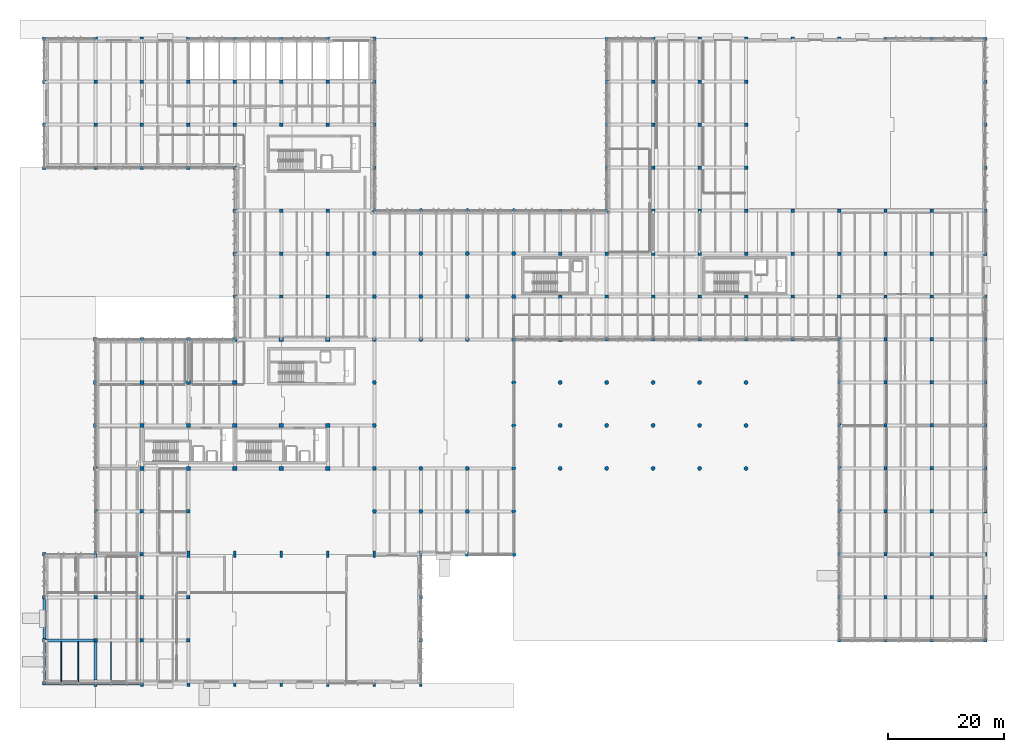
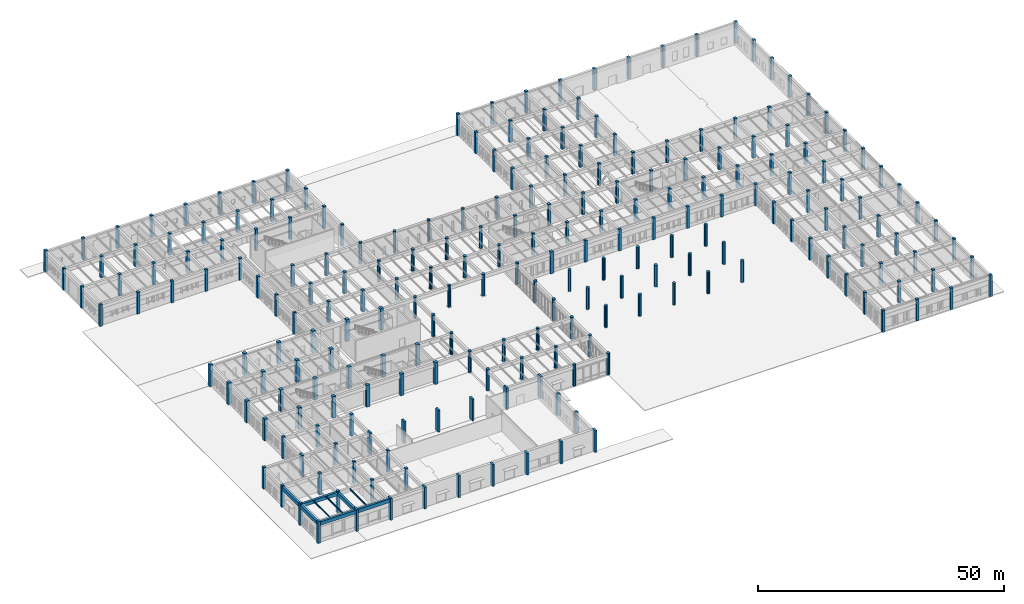
# One storey, part 1 of 56: 229 columns, 9 beams.
"""IFC4 building model written with IfcOpenShell, lengths in metres."""

from ifc_helpers import new_model, si_unit, direction, frame, origin, origin_2d, place, context, subcontext, project, spatial, rectangle, circle, i_section, extrude, material, material_profile, profile_set, type_object, element, save


model = new_model("IFC4")

# Units and contexts
model_context = context("Model", 3, precision=1e-05, world=origin(), true_north=direction((0.0, 1.0)))
body_context = subcontext(model_context, "Body", "Model", "MODEL_VIEW")
ifc_project = project(units=[si_unit("LENGTHUNIT", "METRE"), si_unit("AREAUNIT", "SQUARE_METRE"), si_unit("VOLUMEUNIT", "CUBIC_METRE"), si_unit("PLANEANGLEUNIT", "RADIAN"), si_unit("MASSUNIT", "GRAM", prefix="KILO")], contexts=[model_context])

# Site, building, storey
site_placement = place(None, origin())
site = spatial("IfcSite", under=ifc_project, at=site_placement, CompositionType="ELEMENT")
building_placement = place(site_placement, origin())
building = spatial("IfcBuilding", under=site, at=building_placement, Name="Valkorina Park Police Headquarters", CompositionType="ELEMENT")
storey_placement = place(building_placement, origin())
storey = spatial("IfcBuildingStorey", under=building, at=storey_placement, Name="L01", CompositionType="ELEMENT", Elevation=0.0)

# Columns
ifc_material_1 = material(Name="Concrete C40/50", Category="concrete")
ifc_material_profile_1 = material_profile(ifc_material_1, rectangle(XDim=0.60009765625, YDim=0.60009765625, at=origin_2d()), Name="RC COL 600x600")
ifc_profile_set_1 = profile_set([ifc_material_profile_1], Name="Concrete C40/50")
column_type_1 = type_object("IfcColumnType", Name="COL-RC-600-EXT", PredefinedType="COLUMN", material=ifc_profile_set_1)
for number, where, z_axis, x_axis, name in (
    (1, (0.0, 0.0, 0.0), (0.0, 0.0, 1.0), (1.0, 0.0, 0.0), "L01 Column 0269"),
    (2, (0.0, 7.39990234375, 0.0), (0.0, 0.0, 1.0), (1.0, 0.0, 0.0), "L01 Column 0270"),
    (3, (0.0, 14.800048828125, 0.0), (0.0, 0.0, 1.0), (1.0, 0.0, 0.0), "L01 Column 0271"),
    (4, (0.0, 22.199951171875, 0.0), (0.0, 0.0, 1.0), (1.0, 0.0, 0.0), "L01 Column 0272"),
    (5, (0.0, 88.800048828125, 0.0), (0.0, 0.0, 1.0), (1.0, 0.0, 0.0), "L01 Column 0273"),
    (6, (0.0, 96.199951171875, 0.0), (0.0, 0.0, 1.0), (1.0, 0.0, 0.0), "L01 Column 0274"),
    (7, (0.0, 103.60009765625, 0.0), (0.0, 0.0, 1.0), (1.0, 0.0, 0.0), "L01 Column 0275"),
    (8, (0.0, 111.0, 0.0), (0.0, 0.0, 1.0), (1.0, 0.0, 0.0), "L01 Column 0276"),
    (9, (8.800048828125, 29.60009765625, 0.0), (0.0, 0.0, 1.0), (1.0, 0.0, 0.0), "L01 Column 0281"),
    (10, (8.800048828125, 88.800048828125, 0.0), (0.0, 0.0, 1.0), (1.0, 0.0, 0.0), "L01 Column 0286"),
    (11, (8.800048828125, 111.0, 0.0), (0.0, 0.0, 1.0), (1.0, 0.0, 0.0), "L01 Column 0289"),
    (12, (16.800048828125, 88.800048828125, 0.0), (0.0, 0.0, 1.0), (1.0, 0.0, 0.0), "L01 Column 0299"),
    (13, (16.800048828125, 111.0, 0.0), (0.0, 0.0, 1.0), (1.0, 0.0, 0.0), "L01 Column 0302"),
    (14, (24.800048828125, 29.60009765625, 0.0), (0.0, 0.0, 1.0), (1.0, 0.0, 0.0), "L01 Column 0307"),
    (15, (24.800048828125, 88.800048828125, 0.0), (0.0, 0.0, 1.0), (1.0, 0.0, 0.0), "L01 Column 0312"),
    (16, (24.800048828125, 111.0, 0.0), (0.0, 0.0, 1.0), (1.0, 0.0, 0.0), "L01 Column 0315"),
    (17, (32.800048828125, 66.60009765625, 0.0), (0.0, 0.0, 1.0), (1.0, 0.0, 0.0), "L01 Column 0322"),
    (18, (32.800048828125, 74.0, 0.0), (0.0, 0.0, 1.0), (1.0, 0.0, 0.0), "L01 Column 0323"),
    (19, (32.800048828125, 81.39990234375, 0.0), (0.0, 0.0, 1.0), (1.0, 0.0, 0.0), "L01 Column 0324"),
    (20, (32.800048828125, 88.800048828125, 0.0), (0.0, 0.0, 1.0), (1.0, 0.0, 0.0), "L01 Column 0325"),
    (21, (32.800048828125, 111.0, 0.0), (0.0, 0.0, 1.0), (1.0, 0.0, 0.0), "L01 Column 0328"),
    (22, (40.800048828125, 111.0, 0.0), (0.0, 0.0, 1.0), (1.0, 0.0, 0.0), "L01 Column 0339"),
    (23, (48.800048828125, 111.0, 0.0), (0.0, 0.0, 1.0), (1.0, 0.0, 0.0), "L01 Column 0350"),
    (24, (56.800048828125, 88.800048828125, 0.0), (0.0, 0.0, 1.0), (1.0, 0.0, 0.0), "L01 Column 0361"),
    (25, (56.800048828125, 96.199951171875, 0.0), (0.0, 0.0, 1.0), (1.0, 0.0, 0.0), "L01 Column 0362"),
    (26, (56.800048828125, 103.60009765625, 0.0), (0.0, 0.0, 1.0), (1.0, 0.0, 0.0), "L01 Column 0363"),
    (27, (56.800048828125, 111.0, 0.0), (0.0, 0.0, 1.0), (1.0, 0.0, 0.0), "L01 Column 0364"),
    (28, (64.800048828125, 7.39990234375, 0.0), (0.0, 0.0, 1.0), (1.0, 0.0, 0.0), "L01 Column 0366"),
    (29, (64.800048828125, 14.800048828125, 0.0), (0.0, 0.0, 1.0), (1.0, 0.0, 0.0), "L01 Column 0367"),
    (30, (88.800048828125, 81.39990234375, 0.0), (0.0, 0.0, 1.0), (1.0, 0.0, 0.0), "L01 Column 0397"),
    (31, (96.800048828125, 59.199951171875, 0.0), (0.0, 0.0, 1.0), (1.0, 0.0, 0.0), "L01 Column 0401"),
    (32, (96.800048828125, 81.39990234375, 0.0), (0.0, 0.0, 1.0), (1.0, 0.0, 0.0), "L01 Column 0404"),
    (33, (96.800048828125, 88.800048828125, 0.0), (0.0, 0.0, 1.0), (1.0, 0.0, 0.0), "L01 Column 0405"),
    (34, (96.800048828125, 96.199951171875, 0.0), (0.0, 0.0, 1.0), (1.0, 0.0, 0.0), "L01 Column 0406"),
    (35, (96.800048828125, 103.60009765625, 0.0), (0.0, 0.0, 1.0), (1.0, 0.0, 0.0), "L01 Column 0407"),
    (36, (96.800048828125, 111.0, 0.0), (0.0, 0.0, 1.0), (1.0, 0.0, 0.0), "L01 Column 0408"),
    (37, (104.800048828125, 59.199951171875, 0.0), (0.0, 0.0, 1.0), (1.0, 0.0, 0.0), "L01 Column 0412"),
    (38, (104.800048828125, 111.0, 0.0), (0.0, 0.0, 1.0), (1.0, 0.0, 0.0), "L01 Column 0419"),
    (39, (112.800048828125, 59.199951171875, 0.0), (0.0, 0.0, 1.0), (1.0, 0.0, 0.0), "L01 Column 0423"),
    (40, (112.800048828125, 111.0, 0.0), (0.0, 0.0, 1.0), (1.0, 0.0, 0.0), "L01 Column 0430"),
    (41, (120.800048828125, 59.199951171875, 0.0), (0.0, 0.0, 1.0), (1.0, 0.0, 0.0), "L01 Column 0434"),
    (42, (120.800048828125, 111.0, 0.0), (0.0, 0.0, 1.0), (1.0, 0.0, 0.0), "L01 Column 0441"),
    (43, (128.800048828125, 59.199951171875, 0.0), (0.0, 0.0, 1.0), (1.0, 0.0, 0.0), "L01 Column 0442"),
    (44, (128.800048828125, 111.0, 0.0), (0.0, 0.0, 1.0), (1.0, 0.0, 0.0), "L01 Column 0446"),
    (45, (136.800048828125, 7.39990234375, 0.0), (0.0, 0.0, 1.0), (1.0, 0.0, 0.0), "L01 Column 0447"),
    (46, (136.800048828125, 14.800048828125, 0.0), (0.0, 0.0, 1.0), (1.0, 0.0, 0.0), "L01 Column 0448"),
    (47, (136.800048828125, 22.199951171875, 0.0), (0.0, 0.0, 1.0), (1.0, 0.0, 0.0), "L01 Column 0449"),
    (48, (136.800048828125, 29.60009765625, 0.0), (0.0, 0.0, 1.0), (1.0, 0.0, 0.0), "L01 Column 0450"),
    (49, (136.800048828125, 37.0, 0.0), (0.0, 0.0, 1.0), (1.0, 0.0, 0.0), "L01 Column 0451"),
    (50, (136.800048828125, 44.39990234375, 0.0), (0.0, 0.0, 1.0), (1.0, 0.0, 0.0), "L01 Column 0452"),
    (51, (136.800048828125, 51.800048828125, 0.0), (0.0, 0.0, 1.0), (1.0, 0.0, 0.0), "L01 Column 0453"),
    (52, (136.800048828125, 59.199951171875, 0.0), (0.0, 0.0, 1.0), (1.0, 0.0, 0.0), "L01 Column 0454"),
    (53, (136.800048828125, 111.0, 0.0), (0.0, 0.0, 1.0), (1.0, 0.0, 0.0), "L01 Column 0458"),
    (54, (144.800048828125, 7.39990234375, 0.0), (0.0, 0.0, 1.0), (1.0, 0.0, 0.0), "L01 Column 0459"),
    (55, (144.800048828125, 111.0, 0.0), (0.0, 0.0, 1.0), (1.0, 0.0, 0.0), "L01 Column 0470"),
    (56, (152.800048828125, 7.39990234375, 0.0), (0.0, 0.0, 1.0), (1.0, 0.0, 0.0), "L01 Column 0471"),
    (57, (152.800048828125, 111.0, 0.0), (0.0, 0.0, 1.0), (1.0, 0.0, 0.0), "L01 Column 0482"),
    (58, (162.0, 7.39990234375, 0.0), (0.0, 0.0, 1.0), (1.0, 0.0, 0.0), "L01 Column 0483"),
    (59, (162.0, 14.800048828125, 0.0), (0.0, 0.0, 1.0), (1.0, 0.0, 0.0), "L01 Column 0484"),
    (60, (162.0, 22.199951171875, 0.0), (0.0, 0.0, 1.0), (1.0, 0.0, 0.0), "L01 Column 0485"),
    (61, (162.0, 29.60009765625, 0.0), (0.0, 0.0, 1.0), (1.0, 0.0, 0.0), "L01 Column 0486"),
    (62, (162.0, 37.0, 0.0), (0.0, 0.0, 1.0), (1.0, 0.0, 0.0), "L01 Column 0487"),
    (63, (162.0, 44.39990234375, 0.0), (0.0, 0.0, 1.0), (1.0, 0.0, 0.0), "L01 Column 0488"),
    (64, (162.0, 51.800048828125, 0.0), (0.0, 0.0, 1.0), (1.0, 0.0, 0.0), "L01 Column 0489"),
    (65, (162.0, 59.199951171875, 0.0), (0.0, 0.0, 1.0), (1.0, 0.0, 0.0), "L01 Column 0490"),
    (66, (162.0, 66.60009765625, 0.0), (0.0, 0.0, 1.0), (1.0, 0.0, 0.0), "L01 Column 0491"),
    (67, (162.0, 74.0, 0.0), (0.0, 0.0, 1.0), (1.0, 0.0, 0.0), "L01 Column 0492"),
    (68, (162.0, 81.39990234375, 0.0), (0.0, 0.0, 1.0), (1.0, 0.0, 0.0), "L01 Column 0493"),
    (69, (162.0, 88.800048828125, 0.0), (0.0, 0.0, 1.0), (1.0, 0.0, 0.0), "L01 Column 0494"),
    (70, (162.0, 96.199951171875, 0.0), (0.0, 0.0, 1.0), (1.0, 0.0, 0.0), "L01 Column 0495"),
    (71, (162.0, 103.60009765625, 0.0), (0.0, 0.0, 1.0), (1.0, 0.0, 0.0), "L01 Column 0496"),
    (72, (162.0, 111.0, 0.0), (0.0, 0.0, 1.0), (1.0, 0.0, 0.0), "L01 Column 0497"),
):
    element("IfcColumn", number, at=place(storey_placement, frame(where, z_axis=z_axis, x_axis=x_axis)), inside=storey, type_object=column_type_1, Name=name, PredefinedType="COLUMN", context=body_context, shape_type="SweptSolid", body=[
        extrude(rectangle(XDim=0.60009765625, YDim=0.60009765625, at=origin_2d()), origin(), (0.0, 0.0, 1.0), 5.39990234375),
    ])
ifc_material_profile_2 = material_profile(ifc_material_1, rectangle(XDim=0.60009765625, YDim=0.60009765625, at=origin_2d()), Name="RC COL 600x600")
ifc_profile_set_2 = profile_set([ifc_material_profile_2], Name="Concrete C40/50")
column_type_2 = type_object("IfcColumnType", Name="COL-RC-600-INT", PredefinedType="COLUMN", material=ifc_profile_set_2)
for number, where, z_axis, x_axis, name in (
    (73, (8.800048828125, 7.39990234375, 0.0), (0.0, 0.0, 1.0), (1.0, 0.0, 0.0), "L01 Column 0278"),
    (74, (8.800048828125, 14.800048828125, 0.0), (0.0, 0.0, 1.0), (1.0, 0.0, 0.0), "L01 Column 0279"),
    (75, (8.800048828125, 96.199951171875, 0.0), (0.0, 0.0, 1.0), (1.0, 0.0, 0.0), "L01 Column 0287"),
    (76, (8.800048828125, 103.60009765625, 0.0), (0.0, 0.0, 1.0), (1.0, 0.0, 0.0), "L01 Column 0288"),
    (77, (16.800048828125, 7.39990234375, 0.0), (0.0, 0.0, 1.0), (1.0, 0.0, 0.0), "L01 Column 0291"),
    (78, (16.800048828125, 14.800048828125, 0.0), (0.0, 0.0, 1.0), (1.0, 0.0, 0.0), "L01 Column 0292"),
    (79, (16.800048828125, 22.199951171875, 0.0), (0.0, 0.0, 1.0), (1.0, 0.0, 0.0), "L01 Column 0293"),
    (80, (16.800048828125, 29.60009765625, 0.0), (0.0, 0.0, 1.0), (1.0, 0.0, 0.0), "L01 Column 0294"),
    (81, (16.800048828125, 96.199951171875, 0.0), (0.0, 0.0, 1.0), (1.0, 0.0, 0.0), "L01 Column 0300"),
    (82, (16.800048828125, 103.60009765625, 0.0), (0.0, 0.0, 1.0), (1.0, 0.0, 0.0), "L01 Column 0301"),
    (83, (24.800048828125, 7.39990234375, 0.0), (0.0, 0.0, 1.0), (1.0, 0.0, 0.0), "L01 Column 0304"),
    (84, (24.800048828125, 14.800048828125, 0.0), (0.0, 0.0, 1.0), (1.0, 0.0, 0.0), "L01 Column 0305"),
    (85, (24.800048828125, 96.199951171875, 0.0), (0.0, 0.0, 1.0), (1.0, 0.0, 0.0), "L01 Column 0313"),
    (86, (24.800048828125, 103.60009765625, 0.0), (0.0, 0.0, 1.0), (1.0, 0.0, 0.0), "L01 Column 0314"),
    (87, (32.800048828125, 96.199951171875, 0.0), (0.0, 0.0, 1.0), (1.0, 0.0, 0.0), "L01 Column 0326"),
    (88, (32.800048828125, 103.60009765625, 0.0), (0.0, 0.0, 1.0), (1.0, 0.0, 0.0), "L01 Column 0327"),
    (89, (40.800048828125, 66.60009765625, 0.0), (0.0, 0.0, 1.0), (1.0, 0.0, 0.0), "L01 Column 0334"),
    (90, (40.800048828125, 74.0, 0.0), (0.0, 0.0, 1.0), (1.0, 0.0, 0.0), "L01 Column 0335"),
    (91, (40.800048828125, 81.39990234375, 0.0), (0.0, 0.0, 1.0), (1.0, 0.0, 0.0), "L01 Column 0336"),
    (92, (40.800048828125, 96.199951171875, 0.0), (0.0, 0.0, 1.0), (1.0, 0.0, 0.0), "L01 Column 0337"),
    (93, (40.800048828125, 103.60009765625, 0.0), (0.0, 0.0, 1.0), (1.0, 0.0, 0.0), "L01 Column 0338"),
    (94, (48.800048828125, 66.60009765625, 0.0), (0.0, 0.0, 1.0), (1.0, 0.0, 0.0), "L01 Column 0345"),
    (95, (48.800048828125, 74.0, 0.0), (0.0, 0.0, 1.0), (1.0, 0.0, 0.0), "L01 Column 0346"),
    (96, (48.800048828125, 81.39990234375, 0.0), (0.0, 0.0, 1.0), (1.0, 0.0, 0.0), "L01 Column 0347"),
    (97, (48.800048828125, 96.199951171875, 0.0), (0.0, 0.0, 1.0), (1.0, 0.0, 0.0), "L01 Column 0348"),
    (98, (48.800048828125, 103.60009765625, 0.0), (0.0, 0.0, 1.0), (1.0, 0.0, 0.0), "L01 Column 0349"),
    (99, (88.800048828125, 66.60009765625, 0.0), (0.0, 0.0, 1.0), (1.0, 0.0, 0.0), "L01 Column 0395"),
    (100, (88.800048828125, 74.0, 0.0), (0.0, 0.0, 1.0), (1.0, 0.0, 0.0), "L01 Column 0396"),
    (101, (96.800048828125, 66.60009765625, 0.0), (0.0, 0.0, 1.0), (1.0, 0.0, 0.0), "L01 Column 0402"),
    (102, (96.800048828125, 74.0, 0.0), (0.0, 0.0, 1.0), (1.0, 0.0, 0.0), "L01 Column 0403"),
    (103, (104.800048828125, 66.60009765625, 0.0), (0.0, 0.0, 1.0), (1.0, 0.0, 0.0), "L01 Column 0413"),
    (104, (104.800048828125, 74.0, 0.0), (0.0, 0.0, 1.0), (1.0, 0.0, 0.0), "L01 Column 0414"),
    (105, (104.800048828125, 81.39990234375, 0.0), (0.0, 0.0, 1.0), (1.0, 0.0, 0.0), "L01 Column 0415"),
    (106, (104.800048828125, 88.800048828125, 0.0), (0.0, 0.0, 1.0), (1.0, 0.0, 0.0), "L01 Column 0416"),
    (107, (104.800048828125, 96.199951171875, 0.0), (0.0, 0.0, 1.0), (1.0, 0.0, 0.0), "L01 Column 0417"),
    (108, (104.800048828125, 103.60009765625, 0.0), (0.0, 0.0, 1.0), (1.0, 0.0, 0.0), "L01 Column 0418"),
    (109, (112.800048828125, 66.60009765625, 0.0), (0.0, 0.0, 1.0), (1.0, 0.0, 0.0), "L01 Column 0424"),
    (110, (112.800048828125, 74.0, 0.0), (0.0, 0.0, 1.0), (1.0, 0.0, 0.0), "L01 Column 0425"),
    (111, (112.800048828125, 81.39990234375, 0.0), (0.0, 0.0, 1.0), (1.0, 0.0, 0.0), "L01 Column 0426"),
    (112, (112.800048828125, 88.800048828125, 0.0), (0.0, 0.0, 1.0), (1.0, 0.0, 0.0), "L01 Column 0427"),
    (113, (112.800048828125, 96.199951171875, 0.0), (0.0, 0.0, 1.0), (1.0, 0.0, 0.0), "L01 Column 0428"),
    (114, (112.800048828125, 103.60009765625, 0.0), (0.0, 0.0, 1.0), (1.0, 0.0, 0.0), "L01 Column 0429"),
    (115, (120.800048828125, 66.60009765625, 0.0), (0.0, 0.0, 1.0), (1.0, 0.0, 0.0), "L01 Column 0435"),
    (116, (120.800048828125, 74.0, 0.0), (0.0, 0.0, 1.0), (1.0, 0.0, 0.0), "L01 Column 0436"),
    (117, (120.800048828125, 81.39990234375, 0.0), (0.0, 0.0, 1.0), (1.0, 0.0, 0.0), "L01 Column 0437"),
    (118, (120.800048828125, 88.800048828125, 0.0), (0.0, 0.0, 1.0), (1.0, 0.0, 0.0), "L01 Column 0438"),
    (119, (120.800048828125, 96.199951171875, 0.0), (0.0, 0.0, 1.0), (1.0, 0.0, 0.0), "L01 Column 0439"),
    (120, (120.800048828125, 103.60009765625, 0.0), (0.0, 0.0, 1.0), (1.0, 0.0, 0.0), "L01 Column 0440"),
    (121, (128.800048828125, 66.60009765625, 0.0), (0.0, 0.0, 1.0), (1.0, 0.0, 0.0), "L01 Column 0443"),
    (122, (128.800048828125, 74.0, 0.0), (0.0, 0.0, 1.0), (1.0, 0.0, 0.0), "L01 Column 0444"),
    (123, (128.800048828125, 81.39990234375, 0.0), (0.0, 0.0, 1.0), (1.0, 0.0, 0.0), "L01 Column 0445"),
    (124, (136.800048828125, 66.60009765625, 0.0), (0.0, 0.0, 1.0), (1.0, 0.0, 0.0), "L01 Column 0455"),
    (125, (136.800048828125, 74.0, 0.0), (0.0, 0.0, 1.0), (1.0, 0.0, 0.0), "L01 Column 0456"),
    (126, (136.800048828125, 81.39990234375, 0.0), (0.0, 0.0, 1.0), (1.0, 0.0, 0.0), "L01 Column 0457"),
    (127, (144.800048828125, 14.800048828125, 0.0), (0.0, 0.0, 1.0), (1.0, 0.0, 0.0), "L01 Column 0460"),
    (128, (144.800048828125, 22.199951171875, 0.0), (0.0, 0.0, 1.0), (1.0, 0.0, 0.0), "L01 Column 0461"),
    (129, (144.800048828125, 29.60009765625, 0.0), (0.0, 0.0, 1.0), (1.0, 0.0, 0.0), "L01 Column 0462"),
    (130, (144.800048828125, 37.0, 0.0), (0.0, 0.0, 1.0), (1.0, 0.0, 0.0), "L01 Column 0463"),
    (131, (144.800048828125, 44.39990234375, 0.0), (0.0, 0.0, 1.0), (1.0, 0.0, 0.0), "L01 Column 0464"),
    (132, (144.800048828125, 51.800048828125, 0.0), (0.0, 0.0, 1.0), (1.0, 0.0, 0.0), "L01 Column 0465"),
    (133, (144.800048828125, 59.199951171875, 0.0), (0.0, 0.0, 1.0), (1.0, 0.0, 0.0), "L01 Column 0466"),
    (134, (144.800048828125, 66.60009765625, 0.0), (0.0, 0.0, 1.0), (1.0, 0.0, 0.0), "L01 Column 0467"),
    (135, (144.800048828125, 74.0, 0.0), (0.0, 0.0, 1.0), (1.0, 0.0, 0.0), "L01 Column 0468"),
    (136, (144.800048828125, 81.39990234375, 0.0), (0.0, 0.0, 1.0), (1.0, 0.0, 0.0), "L01 Column 0469"),
    (137, (152.800048828125, 14.800048828125, 0.0), (0.0, 0.0, 1.0), (1.0, 0.0, 0.0), "L01 Column 0472"),
    (138, (152.800048828125, 22.199951171875, 0.0), (0.0, 0.0, 1.0), (1.0, 0.0, 0.0), "L01 Column 0473"),
    (139, (152.800048828125, 29.60009765625, 0.0), (0.0, 0.0, 1.0), (1.0, 0.0, 0.0), "L01 Column 0474"),
    (140, (152.800048828125, 37.0, 0.0), (0.0, 0.0, 1.0), (1.0, 0.0, 0.0), "L01 Column 0475"),
    (141, (152.800048828125, 44.39990234375, 0.0), (0.0, 0.0, 1.0), (1.0, 0.0, 0.0), "L01 Column 0476"),
    (142, (152.800048828125, 51.800048828125, 0.0), (0.0, 0.0, 1.0), (1.0, 0.0, 0.0), "L01 Column 0477"),
    (143, (152.800048828125, 59.199951171875, 0.0), (0.0, 0.0, 1.0), (1.0, 0.0, 0.0), "L01 Column 0478"),
    (144, (152.800048828125, 66.60009765625, 0.0), (0.0, 0.0, 1.0), (1.0, 0.0, 0.0), "L01 Column 0479"),
    (145, (152.800048828125, 74.0, 0.0), (0.0, 0.0, 1.0), (1.0, 0.0, 0.0), "L01 Column 0480"),
    (146, (152.800048828125, 81.39990234375, 0.0), (0.0, 0.0, 1.0), (1.0, 0.0, 0.0), "L01 Column 0481"),
):
    element("IfcColumn", number, at=place(storey_placement, frame(where, z_axis=z_axis, x_axis=x_axis)), inside=storey, type_object=column_type_2, Name=name, PredefinedType="COLUMN", context=body_context, shape_type="SweptSolid", body=[
        extrude(rectangle(XDim=0.60009765625, YDim=0.60009765625, at=origin_2d()), origin(), (0.0, 0.0, 1.0), 5.39990234375),
    ])
ifc_material_profile_3 = material_profile(ifc_material_1, rectangle(XDim=0.75, YDim=0.75, at=origin_2d()), Name="RC COL 750x750")
ifc_profile_set_3 = profile_set([ifc_material_profile_3], Name="Concrete C40/50")
column_type_3 = type_object("IfcColumnType", Name="COL-RC-750-EXT", PredefinedType="COLUMN", material=ifc_profile_set_3)
for number, where, z_axis, x_axis, name in (
    (147, (8.800048828125, 37.0, 0.0), (0.0, 0.0, 1.0), (1.0, 0.0, 0.0), "L01 Column 0282"),
    (148, (8.800048828125, 44.39990234375, 0.0), (0.0, 0.0, 1.0), (1.0, 0.0, 0.0), "L01 Column 0283"),
    (149, (8.800048828125, 51.800048828125, 0.0), (0.0, 0.0, 1.0), (1.0, 0.0, 0.0), "L01 Column 0284"),
    (150, (8.800048828125, 59.199951171875, 0.0), (0.0, 0.0, 1.0), (1.0, 0.0, 0.0), "L01 Column 0285"),
    (151, (16.800048828125, 59.199951171875, 0.0), (0.0, 0.0, 1.0), (1.0, 0.0, 0.0), "L01 Column 0298"),
    (152, (24.800048828125, 37.0, 0.0), (0.0, 0.0, 1.0), (1.0, 0.0, 0.0), "L01 Column 0308"),
    (153, (24.800048828125, 59.199951171875, 0.0), (0.0, 0.0, 1.0), (1.0, 0.0, 0.0), "L01 Column 0311"),
    (154, (32.800048828125, 37.0, 0.0), (0.0, 0.0, 1.0), (1.0, 0.0, 0.0), "L01 Column 0318"),
    (155, (32.800048828125, 59.199951171875, 0.0), (0.0, 0.0, 1.0), (1.0, 0.0, 0.0), "L01 Column 0321"),
    (156, (40.800048828125, 37.0, 0.0), (0.0, 0.0, 1.0), (1.0, 0.0, 0.0), "L01 Column 0331"),
    (157, (48.800048828125, 37.0, 0.0), (0.0, 0.0, 1.0), (1.0, 0.0, 0.0), "L01 Column 0342"),
    (158, (88.800048828125, 59.199951171875, 0.0), (0.0, 0.0, 1.0), (1.0, 0.0, 0.0), "L01 Column 0394"),
):
    element("IfcColumn", number, at=place(storey_placement, frame(where, z_axis=z_axis, x_axis=x_axis)), inside=storey, type_object=column_type_3, Name=name, PredefinedType="COLUMN", context=body_context, shape_type="SweptSolid", body=[
        extrude(rectangle(XDim=0.75, YDim=0.75, at=origin_2d()), origin(), (0.0, 0.0, 1.0), 5.39990234375),
    ])
ifc_material_profile_4 = material_profile(ifc_material_1, rectangle(XDim=0.75, YDim=0.75, at=origin_2d()), Name="RC COL 750x750")
ifc_profile_set_4 = profile_set([ifc_material_profile_4], Name="Concrete C40/50")
column_type_4 = type_object("IfcColumnType", Name="COL-RC-750-INT", PredefinedType="COLUMN", material=ifc_profile_set_4)
for number, where, z_axis, x_axis, name in (
    (159, (16.800048828125, 37.0, 0.0), (0.0, 0.0, 1.0), (1.0, 0.0, 0.0), "L01 Column 0295"),
    (160, (16.800048828125, 44.39990234375, 0.0), (0.0, 0.0, 1.0), (1.0, 0.0, 0.0), "L01 Column 0296"),
    (161, (16.800048828125, 51.800048828125, 0.0), (0.0, 0.0, 1.0), (1.0, 0.0, 0.0), "L01 Column 0297"),
    (162, (24.800048828125, 44.39990234375, 0.0), (0.0, 0.0, 1.0), (1.0, 0.0, 0.0), "L01 Column 0309"),
    (163, (24.800048828125, 51.800048828125, 0.0), (0.0, 0.0, 1.0), (1.0, 0.0, 0.0), "L01 Column 0310"),
    (164, (32.800048828125, 44.39990234375, 0.0), (0.0, 0.0, 1.0), (1.0, 0.0, 0.0), "L01 Column 0319"),
    (165, (32.800048828125, 51.800048828125, 0.0), (0.0, 0.0, 1.0), (1.0, 0.0, 0.0), "L01 Column 0320"),
    (166, (40.800048828125, 44.39990234375, 0.0), (0.0, 0.0, 1.0), (1.0, 0.0, 0.0), "L01 Column 0332"),
    (167, (40.800048828125, 59.199951171875, 0.0), (0.0, 0.0, 1.0), (1.0, 0.0, 0.0), "L01 Column 0333"),
    (168, (48.800048828125, 44.39990234375, 0.0), (0.0, 0.0, 1.0), (1.0, 0.0, 0.0), "L01 Column 0343"),
    (169, (48.800048828125, 59.199951171875, 0.0), (0.0, 0.0, 1.0), (1.0, 0.0, 0.0), "L01 Column 0344"),
):
    element("IfcColumn", number, at=place(storey_placement, frame(where, z_axis=z_axis, x_axis=x_axis)), inside=storey, type_object=column_type_4, Name=name, PredefinedType="COLUMN", context=body_context, shape_type="SweptSolid", body=[
        extrude(rectangle(XDim=0.75, YDim=0.75, at=origin_2d()), origin(), (0.0, 0.0, 1.0), 5.39990234375),
    ])
ifc_material_profile_5 = material_profile(ifc_material_1, circle(Radius=0.35009765625, at=origin_2d()), Name="RC COL D700")
ifc_profile_set_5 = profile_set([ifc_material_profile_5], Name="Concrete C40/50")
column_type_5 = type_object("IfcColumnType", Name="COL-RC-D700-EXT", PredefinedType="COLUMN", material=ifc_profile_set_5)
for number, where, z_axis, x_axis, name in (
    (170, (56.800048828125, 29.60009765625, 0.0), (0.0, 0.0, 1.0), (1.0, 0.0, 0.0), "L01 Column 0353"),
    (171, (56.800048828125, 37.0, 0.0), (0.0, 0.0, 1.0), (1.0, 0.0, 0.0), "L01 Column 0354"),
    (172, (56.800048828125, 81.39990234375, 0.0), (0.0, 0.0, 1.0), (1.0, 0.0, 0.0), "L01 Column 0360"),
    (173, (64.800048828125, 81.39990234375, 0.0), (0.0, 0.0, 1.0), (1.0, 0.0, 0.0), "L01 Column 0374"),
    (174, (72.800048828125, 22.199951171875, 0.0), (0.0, 0.0, 1.0), (1.0, 0.0, 0.0), "L01 Column 0375"),
    (175, (72.800048828125, 81.39990234375, 0.0), (0.0, 0.0, 1.0), (1.0, 0.0, 0.0), "L01 Column 0381"),
    (176, (80.800048828125, 22.199951171875, 0.0), (0.0, 0.0, 1.0), (1.0, 0.0, 0.0), "L01 Column 0382"),
    (177, (80.800048828125, 29.60009765625, 0.0), (0.0, 0.0, 1.0), (1.0, 0.0, 0.0), "L01 Column 0383"),
    (178, (80.800048828125, 37.0, 0.0), (0.0, 0.0, 1.0), (1.0, 0.0, 0.0), "L01 Column 0384"),
    (179, (80.800048828125, 44.39990234375, 0.0), (0.0, 0.0, 1.0), (1.0, 0.0, 0.0), "L01 Column 0385"),
    (180, (80.800048828125, 51.800048828125, 0.0), (0.0, 0.0, 1.0), (1.0, 0.0, 0.0), "L01 Column 0386"),
    (181, (80.800048828125, 59.199951171875, 0.0), (0.0, 0.0, 1.0), (1.0, 0.0, 0.0), "L01 Column 0387"),
    (182, (80.800048828125, 81.39990234375, 0.0), (0.0, 0.0, 1.0), (1.0, 0.0, 0.0), "L01 Column 0390"),
    (183, (88.800048828125, 37.0, 0.0), (0.0, 0.0, 1.0), (1.0, 0.0, 0.0), "L01 Column 0391"),
    (184, (88.800048828125, 44.39990234375, 0.0), (0.0, 0.0, 1.0), (1.0, 0.0, 0.0), "L01 Column 0392"),
    (185, (88.800048828125, 51.800048828125, 0.0), (0.0, 0.0, 1.0), (1.0, 0.0, 0.0), "L01 Column 0393"),
    (186, (96.800048828125, 37.0, 0.0), (0.0, 0.0, 1.0), (1.0, 0.0, 0.0), "L01 Column 0398"),
    (187, (96.800048828125, 44.39990234375, 0.0), (0.0, 0.0, 1.0), (1.0, 0.0, 0.0), "L01 Column 0399"),
    (188, (96.800048828125, 51.800048828125, 0.0), (0.0, 0.0, 1.0), (1.0, 0.0, 0.0), "L01 Column 0400"),
    (189, (104.800048828125, 37.0, 0.0), (0.0, 0.0, 1.0), (1.0, 0.0, 0.0), "L01 Column 0409"),
    (190, (104.800048828125, 44.39990234375, 0.0), (0.0, 0.0, 1.0), (1.0, 0.0, 0.0), "L01 Column 0410"),
    (191, (104.800048828125, 51.800048828125, 0.0), (0.0, 0.0, 1.0), (1.0, 0.0, 0.0), "L01 Column 0411"),
    (192, (112.800048828125, 37.0, 0.0), (0.0, 0.0, 1.0), (1.0, 0.0, 0.0), "L01 Column 0420"),
    (193, (112.800048828125, 44.39990234375, 0.0), (0.0, 0.0, 1.0), (1.0, 0.0, 0.0), "L01 Column 0421"),
    (194, (112.800048828125, 51.800048828125, 0.0), (0.0, 0.0, 1.0), (1.0, 0.0, 0.0), "L01 Column 0422"),
    (195, (120.800048828125, 37.0, 0.0), (0.0, 0.0, 1.0), (1.0, 0.0, 0.0), "L01 Column 0431"),
    (196, (120.800048828125, 44.39990234375, 0.0), (0.0, 0.0, 1.0), (1.0, 0.0, 0.0), "L01 Column 0432"),
    (197, (120.800048828125, 51.800048828125, 0.0), (0.0, 0.0, 1.0), (1.0, 0.0, 0.0), "L01 Column 0433"),
):
    element("IfcColumn", number, at=place(storey_placement, frame(where, z_axis=z_axis, x_axis=x_axis)), inside=storey, type_object=column_type_5, Name=name, PredefinedType="COLUMN", context=body_context, shape_type="SweptSolid", body=[
        extrude(circle(Radius=0.35009765625, at=origin_2d()), origin(), (0.0, 0.0, 1.0), 5.39990234375),
    ])
ifc_material_profile_6 = material_profile(ifc_material_1, circle(Radius=0.35009765625, at=origin_2d()), Name="RC COL D700")
ifc_profile_set_6 = profile_set([ifc_material_profile_6], Name="Concrete C40/50")
column_type_6 = type_object("IfcColumnType", Name="COL-RC-D700-INT", PredefinedType="COLUMN", material=ifc_profile_set_6)
for number, where, z_axis, x_axis, name in (
    (198, (56.800048828125, 44.39990234375, 0.0), (0.0, 0.0, 1.0), (1.0, 0.0, 0.0), "L01 Column 0355"),
    (199, (56.800048828125, 51.800048828125, 0.0), (0.0, 0.0, 1.0), (1.0, 0.0, 0.0), "L01 Column 0356"),
    (200, (56.800048828125, 59.199951171875, 0.0), (0.0, 0.0, 1.0), (1.0, 0.0, 0.0), "L01 Column 0357"),
    (201, (56.800048828125, 66.60009765625, 0.0), (0.0, 0.0, 1.0), (1.0, 0.0, 0.0), "L01 Column 0358"),
    (202, (56.800048828125, 74.0, 0.0), (0.0, 0.0, 1.0), (1.0, 0.0, 0.0), "L01 Column 0359"),
    (203, (64.800048828125, 29.60009765625, 0.0), (0.0, 0.0, 1.0), (1.0, 0.0, 0.0), "L01 Column 0369"),
    (204, (64.800048828125, 37.0, 0.0), (0.0, 0.0, 1.0), (1.0, 0.0, 0.0), "L01 Column 0370"),
    (205, (64.800048828125, 59.199951171875, 0.0), (0.0, 0.0, 1.0), (1.0, 0.0, 0.0), "L01 Column 0371"),
    (206, (64.800048828125, 66.60009765625, 0.0), (0.0, 0.0, 1.0), (1.0, 0.0, 0.0), "L01 Column 0372"),
    (207, (64.800048828125, 74.0, 0.0), (0.0, 0.0, 1.0), (1.0, 0.0, 0.0), "L01 Column 0373"),
    (208, (72.800048828125, 29.60009765625, 0.0), (0.0, 0.0, 1.0), (1.0, 0.0, 0.0), "L01 Column 0376"),
    (209, (72.800048828125, 37.0, 0.0), (0.0, 0.0, 1.0), (1.0, 0.0, 0.0), "L01 Column 0377"),
    (210, (72.800048828125, 59.199951171875, 0.0), (0.0, 0.0, 1.0), (1.0, 0.0, 0.0), "L01 Column 0378"),
    (211, (72.800048828125, 66.60009765625, 0.0), (0.0, 0.0, 1.0), (1.0, 0.0, 0.0), "L01 Column 0379"),
    (212, (72.800048828125, 74.0, 0.0), (0.0, 0.0, 1.0), (1.0, 0.0, 0.0), "L01 Column 0380"),
    (213, (80.800048828125, 66.60009765625, 0.0), (0.0, 0.0, 1.0), (1.0, 0.0, 0.0), "L01 Column 0388"),
    (214, (80.800048828125, 74.0, 0.0), (0.0, 0.0, 1.0), (1.0, 0.0, 0.0), "L01 Column 0389"),
):
    element("IfcColumn", number, at=place(storey_placement, frame(where, z_axis=z_axis, x_axis=x_axis)), inside=storey, type_object=column_type_6, Name=name, PredefinedType="COLUMN", context=body_context, shape_type="SweptSolid", body=[
        extrude(circle(Radius=0.35009765625, at=origin_2d()), origin(), (0.0, 0.0, 1.0), 5.39990234375),
    ])
ifc_material_profile_7 = material_profile(ifc_material_1, rectangle(XDim=0.449951171875, YDim=1.10009765625, at=origin_2d()), Name="RC PIER 450x1100")
ifc_profile_set_7 = profile_set([ifc_material_profile_7], Name="Concrete C40/50")
column_type_7 = type_object("IfcColumnType", Name="COL-RC-PIER-EXT", PredefinedType="PILASTER", material=ifc_profile_set_7)
for number, where, z_axis, x_axis, name in (
    (215, (8.800048828125, 0.0, 0.0), (0.0, 0.0, 1.0), (1.0, 0.0, 0.0), "L01 Column 0277"),
    (216, (8.800048828125, 22.199951171875, 0.0), (0.0, 0.0, 1.0), (1.0, 0.0, 0.0), "L01 Column 0280"),
    (217, (16.800048828125, 0.0, 0.0), (0.0, 0.0, 1.0), (1.0, 0.0, 0.0), "L01 Column 0290"),
    (218, (24.800048828125, 0.0, 0.0), (0.0, 0.0, 1.0), (1.0, 0.0, 0.0), "L01 Column 0303"),
    (219, (24.800048828125, 22.199951171875, 0.0), (0.0, 0.0, 1.0), (1.0, 0.0, 0.0), "L01 Column 0306"),
    (220, (32.800048828125, 0.0, 0.0), (0.0, 0.0, 1.0), (1.0, 0.0, 0.0), "L01 Column 0316"),
    (221, (32.800048828125, 22.199951171875, 0.0), (0.0, 0.0, 1.0), (1.0, 0.0, 0.0), "L01 Column 0317"),
    (222, (40.800048828125, 0.0, 0.0), (0.0, 0.0, 1.0), (1.0, 0.0, 0.0), "L01 Column 0329"),
    (223, (40.800048828125, 22.199951171875, 0.0), (0.0, 0.0, 1.0), (1.0, 0.0, 0.0), "L01 Column 0330"),
    (224, (48.800048828125, 0.0, 0.0), (0.0, 0.0, 1.0), (1.0, 0.0, 0.0), "L01 Column 0340"),
    (225, (48.800048828125, 22.199951171875, 0.0), (0.0, 0.0, 1.0), (1.0, 0.0, 0.0), "L01 Column 0341"),
    (226, (56.800048828125, 0.0, 0.0), (0.0, 0.0, 1.0), (1.0, 0.0, 0.0), "L01 Column 0351"),
    (227, (56.800048828125, 22.199951171875, 0.0), (0.0, 0.0, 1.0), (1.0, 0.0, 0.0), "L01 Column 0352"),
    (228, (64.800048828125, 0.0, 0.0), (0.0, 0.0, 1.0), (1.0, 0.0, 0.0), "L01 Column 0365"),
    (229, (64.800048828125, 22.199951171875, 0.0), (0.0, 0.0, 1.0), (1.0, 0.0, 0.0), "L01 Column 0368"),
):
    element("IfcColumn", number, at=place(storey_placement, frame(where, z_axis=z_axis, x_axis=x_axis)), inside=storey, type_object=column_type_7, Name=name, PredefinedType="PILASTER", context=body_context, shape_type="SweptSolid", body=[
        extrude(rectangle(XDim=0.449951171875, YDim=1.10009765625, at=origin_2d()), origin(), (0.0, 0.0, 1.0), 5.39990234375),
    ])

# Beams
ifc_material_profile_8 = material_profile(ifc_material_1, rectangle(XDim=0.5, YDim=0.85009765625, at=origin_2d()), Name="RC BEAM 500x850")
ifc_profile_set_8 = profile_set([ifc_material_profile_8], Name="Concrete C40/50")
beam_type_1 = type_object("IfcBeamType", Name="BM-RC-500x850-EXT", PredefinedType="SPANDREL", material=ifc_profile_set_8)
beam_1_placement = place(storey_placement, frame((0.300048828125, 0.0, 4.715087890625), z_axis=(1.0, 0.0, 0.0), x_axis=(0.0, 1.0, 0.0)))
element("IfcBeam", 230, at=beam_1_placement, inside=storey, type_object=beam_type_1, Name="L01 Framing Beam 0704", PredefinedType="SPANDREL", context=body_context, shape_type="SweptSolid", body=[
    extrude(rectangle(XDim=0.5, YDim=0.85009765625, at=origin_2d()), origin(), (0.0, 0.0, 1.0), 8.27490234375),
])
beam_2_placement = place(storey_placement, frame((9.02490234375, 0.0, 4.715087890625), z_axis=(1.0, 0.0, 0.0), x_axis=(0.0, 1.0, 0.0)))
element("IfcBeam", 231, at=beam_2_placement, inside=storey, type_object=beam_type_1, Name="L01 Framing Beam 0705", PredefinedType="SPANDREL", context=body_context, shape_type="SweptSolid", body=[
    extrude(rectangle(XDim=0.5, YDim=0.85009765625, at=origin_2d()), origin(), (0.0, 0.0, 1.0), 7.550048828125),
])
for number, where, z_axis, x_axis, name in (
    (232, (0.0, 0.300048828125, 4.715087890625), (0.0, 1.0, 0.0), (-1.0, 0.0, 0.0), "L01 Framing Beam 0867"),
    (233, (0.0, 7.699951171875, 4.715087890625), (0.0, 1.0, 0.0), (-1.0, 0.0, 0.0), "L01 Framing Beam 0870"),
):
    element("IfcBeam", number, at=place(storey_placement, frame(where, z_axis=z_axis, x_axis=x_axis)), inside=storey, type_object=beam_type_1, Name=name, PredefinedType="SPANDREL", context=body_context, shape_type="SweptSolid", body=[
        extrude(rectangle(XDim=0.5, YDim=0.85009765625, at=origin_2d()), origin(), (0.0, 0.0, 1.0), 6.800048828125),
    ])
ifc_material_profile_9 = material_profile(ifc_material_1, rectangle(XDim=0.5, YDim=0.85009765625, at=origin_2d()), Name="RC BEAM 500x850")
ifc_profile_set_9 = profile_set([ifc_material_profile_9], Name="Concrete C40/50")
beam_type_2 = type_object("IfcBeamType", Name="BM-RC-500x850-INT", PredefinedType="BEAM", material=ifc_profile_set_9)
beam_3_placement = place(storey_placement, frame((0.300048828125, 7.39990234375, 4.715087890625), z_axis=(1.0, 0.0, 0.0), x_axis=(0.0, 1.0, 0.0)))
element("IfcBeam", 234, at=beam_3_placement, inside=storey, type_object=beam_type_2, Name="L01 Framing Beam 0707", PredefinedType="BEAM", context=body_context, shape_type="SweptSolid", body=[
    extrude(rectangle(XDim=0.5, YDim=0.85009765625, at=origin_2d()), origin(), (0.0, 0.0, 1.0), 8.199951171875),
])
beam_4_placement = place(storey_placement, frame((8.800048828125, 0.550048828125, 4.715087890625), z_axis=(0.0, 1.0, 0.0), x_axis=(-1.0, 0.0, 0.0)))
element("IfcBeam", 235, at=beam_4_placement, inside=storey, type_object=beam_type_2, Name="L01 Framing Beam 0885", PredefinedType="BEAM", context=body_context, shape_type="SweptSolid", body=[
    extrude(rectangle(XDim=0.5, YDim=0.85009765625, at=origin_2d()), origin(), (0.0, 0.0, 1.0), 6.550048828125),
])
ifc_material_2 = material(Name="Steel S355", Category="steel")
ifc_material_profile_10 = material_profile(ifc_material_2, i_section(OverallWidth=0.169921875, OverallDepth=0.360107421875, WebThickness=0.008056640625, FlangeThickness=0.0126953125, FilletRadius=0.01806640625, at=origin_2d()), Name="IPE 360")
ifc_profile_set_10 = profile_set([ifc_material_profile_10], Name="Steel S355")
beam_type_3 = type_object("IfcBeamType", Name="BM-S355-IPE360-JST", PredefinedType="JOIST", material=ifc_profile_set_10)
for number, where, z_axis, x_axis, name in (
    (236, (2.933349609375, 0.25, 4.9599609375), (0.0, 1.0, 0.0), (-1.0, 0.0, 0.0), "L01 Framing Beam 0868"),
    (237, (5.86669921875, 0.25, 4.9599609375), (0.0, 1.0, 0.0), (-1.0, 0.0, 0.0), "L01 Framing Beam 0869"),
    (238, (11.466796875, 0.25, 4.9599609375), (0.0, 1.0, 0.0), (-1.0, 0.0, 0.0), "L01 Framing Beam 0886"),
):
    element("IfcBeam", number, at=place(storey_placement, frame(where, z_axis=z_axis, x_axis=x_axis)), inside=storey, type_object=beam_type_3, Name=name, PredefinedType="JOIST", context=body_context, shape_type="SweptSolid", body=[
        extrude(i_section(OverallWidth=0.169921875, OverallDepth=0.360107421875, WebThickness=0.008056640625, FlangeThickness=0.0126953125, FilletRadius=0.01806640625, at=origin_2d()), origin(), (0.0, 0.0, 1.0), 6.89990234375),
    ])

save(model, "model.ifc")
